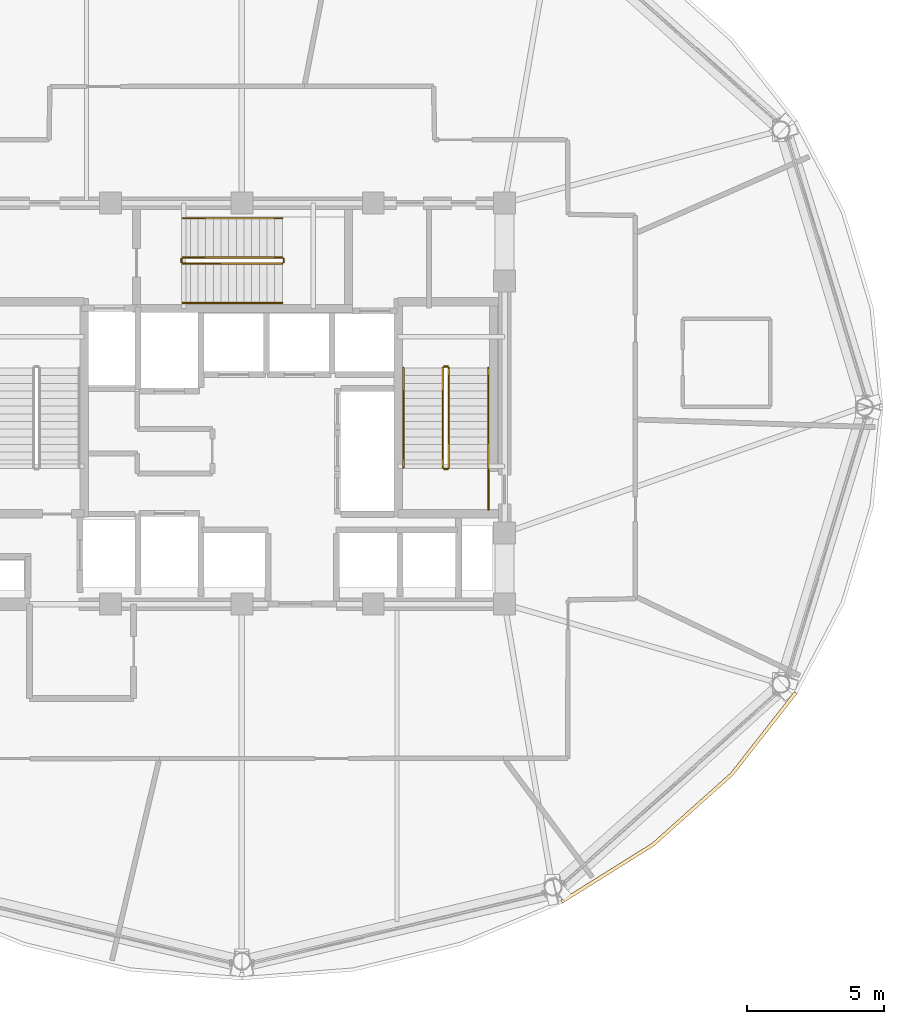
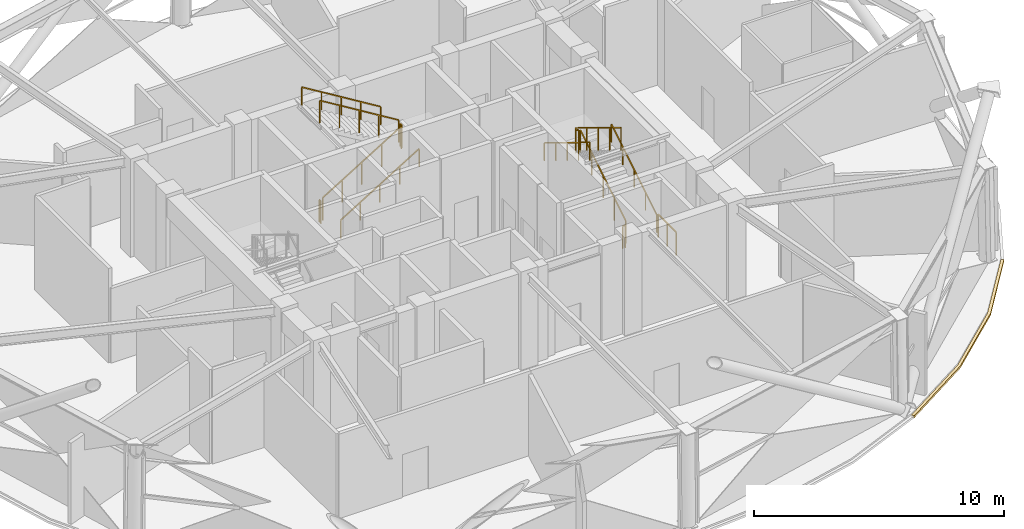
# One storey, part 15 of 16: 13 railings, 1 covering.
"""IFC4 building model written with IfcOpenShell, lengths in metres."""

from ifc_helpers import new_model, si_unit, direction, frame, origin, origin_2d, place, context, subcontext, project, spatial, polyline, rectangle, outline, extrude, material, layer, layer_set, type_object, element, save


model = new_model("IFC4")

# Units and contexts
model_context = context("Model", 3, precision=1e-05, world=origin(), true_north=direction((0.0, 1.0)))
body_context = subcontext(model_context, "Body", "Model", "MODEL_VIEW")
ifc_project = project(units=[si_unit("LENGTHUNIT", "METRE"), si_unit("AREAUNIT", "SQUARE_METRE"), si_unit("VOLUMEUNIT", "CUBIC_METRE"), si_unit("PLANEANGLEUNIT", "RADIAN"), si_unit("MASSUNIT", "GRAM", prefix="KILO")], contexts=[model_context])

# Site, building, storey
site_placement = place(None, origin())
site = spatial("IfcSite", under=ifc_project, at=site_placement, CompositionType="ELEMENT")
building_placement = place(site_placement, origin())
building = spatial("IfcBuilding", under=site, at=building_placement, Name="Vantalir Tower", CompositionType="ELEMENT")
storey_placement = place(building_placement, frame((0.0, 0.0, 181.35009765625)))
storey = spatial("IfcBuildingStorey", under=building, at=storey_placement, Name="L45", CompositionType="ELEMENT", Elevation=181.35009765625)

# Covering
ifc_material_1 = material(Name="Anodised champagne aluminium sill fascia", Category="aluminium")
ifc_layer = layer(ifc_material_1, 0.125)
ifc_layer_set = layer_set([ifc_layer], Name="Anodised champagne aluminium sill fascia")
covering_type = type_object("IfcCoveringType", Name="COV-SLAB-FASCIA-125", PredefinedType="CLADDING", material=ifc_layer_set)
covering_placement = place(storey_placement, frame((0.0, 0.0, -0.18017578125)))
element("IfcCovering", 1, at=covering_placement, inside=storey, type_object=covering_type, Name="L45 Perimeter Slab-Edge Sill Fascia 11", PredefinedType="CLADDING", context=body_context, shape_type="SweptSolid", body=[
    extrude(outline(polyline([(43.212890625, 6.875), (46.556884765625, 8.967041015625), (49.445068359375, 11.547119140625), (51.787109375, 14.534912109375), (51.677978515625, 14.597900390625), (49.34912109375, 11.626953125), (46.47705078125, 9.06298828125), (43.14990234375, 6.98291015625), (43.212890625, 6.875)])), origin(), (0.0, 0.0, 1.0), 0.10498046875),
])

# Railings
ifc_material_2 = material(Name="Anodised aluminium and stainless steel guard", Category="steel")
railing_type_1 = type_object("IfcRailingType", Name="RAL-GUARD-1120", PredefinedType="GUARDRAIL", material=ifc_material_2)
railing_1_placement = place(storey_placement, frame((39.06005859375, 22.7900390625, 0.17138671875)))
element("IfcRailing", 2, at=railing_1_placement, inside=storey, type_object=railing_type_1, Name="L45 ST2 stair guard 1", PredefinedType="GUARDRAIL", context=body_context, shape_type="SweptSolid", body=[
    extrude(rectangle(XDim=0.048095703125, YDim=0.048095703125, at=origin_2d()), frame((0.0, 0.0, 1.09619140625), z_axis=(0.0, 0.852850264322, 0.5221555579), x_axis=(-1.0, 0.0, 0.0)), (0.0, 0.0, 1.0), 4.267822265625),
    extrude(rectangle(XDim=0.0419921875, YDim=0.0419921875, at=origin_2d()), origin(), (0.0, 0.0, 1.0), 1.072021484375),
    extrude(rectangle(XDim=0.0419921875, YDim=0.0419921875, at=origin_2d()), frame((0.0, 0.909912109375, 0.55712890625)), (0.0, 0.0, 1.0), 1.072021484375),
    extrude(rectangle(XDim=0.0419921875, YDim=0.0419921875, at=origin_2d()), frame((0.0, 1.81982421875, 1.1142578125)), (0.0, 0.0, 1.0), 1.072021484375),
    extrude(rectangle(XDim=0.0419921875, YDim=0.0419921875, at=origin_2d()), frame((0.0, 2.72998046875, 1.67138671875)), (0.0, 0.0, 1.0), 1.072021484375),
    extrude(rectangle(XDim=0.0419921875, YDim=0.0419921875, at=origin_2d()), frame((0.0, 3.639892578125, 2.228515625)), (0.0, 0.0, 1.0), 1.072021484375),
])
railing_2_placement = place(storey_placement, frame((39.010009765625, 26.47998046875, 2.39990234375)))
element("IfcRailing", 3, at=railing_2_placement, inside=storey, type_object=railing_type_1, Name="L45 ST2 stair guard 2", PredefinedType="GUARDRAIL", context=body_context, shape_type="SweptSolid", body=[
    extrude(rectangle(XDim=0.048095703125, YDim=0.048095703125, at=origin_2d()), frame((0.0, 0.0, 1.09619140625), z_axis=(-1.0, 0.0, 0.0), x_axis=(0.0, -1.0, 0.0)), (0.0, 0.0, 1.0), 0.1201171875),
    extrude(rectangle(XDim=0.0419921875, YDim=0.0419921875, at=origin_2d()), origin(), (0.0, 0.0, 1.0), 1.072021484375),
    extrude(rectangle(XDim=0.0419921875, YDim=0.0419921875, at=origin_2d()), frame((-0.1201171875, 0.0, 0.0)), (0.0, 0.0, 1.0), 1.072021484375),
])
railing_3_placement = place(storey_placement, frame((38.840087890625, 26.429931640625, 2.5712890625)))
element("IfcRailing", 4, at=railing_3_placement, inside=storey, type_object=railing_type_1, Name="L45 ST2 stair guard 3", PredefinedType="GUARDRAIL", context=body_context, shape_type="SweptSolid", body=[
    extrude(rectangle(XDim=0.048095703125, YDim=0.048095703125, at=origin_2d()), frame((0.0, 0.0, 1.09619140625), z_axis=(0.0, -0.852850264322, 0.5221555579), x_axis=(1.0, 0.0, 0.0)), (0.0, 0.0, 1.0), 4.267822265625),
    extrude(rectangle(XDim=0.0419921875, YDim=0.0419921875, at=origin_2d()), origin(), (0.0, 0.0, 1.0), 1.072021484375),
    extrude(rectangle(XDim=0.0419921875, YDim=0.0419921875, at=origin_2d()), frame((0.0, -0.909912109375, 0.55712890625)), (0.0, 0.0, 1.0), 1.072021484375),
    extrude(rectangle(XDim=0.0419921875, YDim=0.0419921875, at=origin_2d()), frame((0.0, -1.81982421875, 1.1142578125)), (0.0, 0.0, 1.0), 1.072021484375),
    extrude(rectangle(XDim=0.0419921875, YDim=0.0419921875, at=origin_2d()), frame((0.0, -2.72998046875, 1.67138671875)), (0.0, 0.0, 1.0), 1.072021484375),
    extrude(rectangle(XDim=0.0419921875, YDim=0.0419921875, at=origin_2d()), frame((0.0, -3.639892578125, 2.228515625)), (0.0, 0.0, 1.0), 1.072021484375),
])
railing_4_placement = place(storey_placement, frame((39.010009765625, 22.739990234375, 0.0)))
element("IfcRailing", 5, at=railing_4_placement, inside=storey, type_object=railing_type_1, Name="L45 ST2 stair guard 4", PredefinedType="GUARDRAIL", context=body_context, shape_type="SweptSolid", body=[
    extrude(rectangle(XDim=0.048095703125, YDim=0.048095703125, at=origin_2d()), frame((0.0, 0.0, 1.09619140625), z_axis=(-1.0, 0.0, 0.0), x_axis=(0.0, -1.0, 0.0)), (0.0, 0.0, 1.0), 0.1201171875),
    extrude(rectangle(XDim=0.0419921875, YDim=0.0419921875, at=origin_2d()), origin(), (0.0, 0.0, 1.0), 1.072021484375),
    extrude(rectangle(XDim=0.0419921875, YDim=0.0419921875, at=origin_2d()), frame((-0.1201171875, 0.0, 0.0)), (0.0, 0.0, 1.0), 1.072021484375),
])
railing_5_placement = place(storey_placement, frame((29.340087890625, 30.239990234375, 0.17138671875)))
element("IfcRailing", 6, at=railing_5_placement, inside=storey, type_object=railing_type_1, Name="L45 ST3 stair guard 1", PredefinedType="GUARDRAIL", context=body_context, shape_type="SweptSolid", body=[
    extrude(rectangle(XDim=0.048095703125, YDim=0.048095703125, at=origin_2d()), frame((0.0, 0.0, 1.09619140625), z_axis=(0.852850264322, 0.0, 0.5221555579), x_axis=(0.0, 1.0, 0.0)), (0.0, 0.0, 1.0), 4.267822265625),
    extrude(rectangle(XDim=0.0419921875, YDim=0.0419921875, at=origin_2d()), origin(), (0.0, 0.0, 1.0), 1.072021484375),
    extrude(rectangle(XDim=0.0419921875, YDim=0.0419921875, at=origin_2d()), frame((0.909912109375, 0.0, 0.55712890625)), (0.0, 0.0, 1.0), 1.072021484375),
    extrude(rectangle(XDim=0.0419921875, YDim=0.0419921875, at=origin_2d()), frame((1.81982421875, 0.0, 1.1142578125)), (0.0, 0.0, 1.0), 1.072021484375),
    extrude(rectangle(XDim=0.0419921875, YDim=0.0419921875, at=origin_2d()), frame((2.72998046875, 0.0, 1.67138671875)), (0.0, 0.0, 1.0), 1.072021484375),
    extrude(rectangle(XDim=0.0419921875, YDim=0.0419921875, at=origin_2d()), frame((3.639892578125, 0.0, 2.228515625)), (0.0, 0.0, 1.0), 1.072021484375),
])
railing_6_placement = place(storey_placement, frame((33.030029296875, 30.2900390625, 2.39990234375)))
element("IfcRailing", 7, at=railing_6_placement, inside=storey, type_object=railing_type_1, Name="L45 ST3 stair guard 2", PredefinedType="GUARDRAIL", context=body_context, shape_type="SweptSolid", body=[
    extrude(rectangle(XDim=0.048095703125, YDim=0.048095703125, at=origin_2d()), frame((0.0, 0.0, 1.09619140625), z_axis=(0.0, 1.0, 0.0), x_axis=(-1.0, 0.0, 0.0)), (0.0, 0.0, 1.0), 0.119873046875),
    extrude(rectangle(XDim=0.0419921875, YDim=0.0419921875, at=origin_2d()), origin(), (0.0, 0.0, 1.0), 1.072021484375),
    extrude(rectangle(XDim=0.0419921875, YDim=0.0419921875, at=origin_2d()), frame((0.0, 0.119873046875, 0.0)), (0.0, 0.0, 1.0), 1.072021484375),
])
railing_7_placement = place(storey_placement, frame((32.97998046875, 30.4599609375, 2.5712890625)))
element("IfcRailing", 8, at=railing_7_placement, inside=storey, type_object=railing_type_1, Name="L45 ST3 stair guard 3", PredefinedType="GUARDRAIL", context=body_context, shape_type="SweptSolid", body=[
    extrude(rectangle(XDim=0.048095703125, YDim=0.048095703125, at=origin_2d()), frame((0.0, 0.0, 1.09619140625), z_axis=(-0.852850264322, 0.0, 0.5221555579), x_axis=(0.0, -1.0, 0.0)), (0.0, 0.0, 1.0), 4.267822265625),
    extrude(rectangle(XDim=0.0419921875, YDim=0.0419921875, at=origin_2d()), origin(), (0.0, 0.0, 1.0), 1.072021484375),
    extrude(rectangle(XDim=0.0419921875, YDim=0.0419921875, at=origin_2d()), frame((-0.909912109375, 0.0, 0.55712890625)), (0.0, 0.0, 1.0), 1.072021484375),
    extrude(rectangle(XDim=0.0419921875, YDim=0.0419921875, at=origin_2d()), frame((-1.81982421875, 0.0, 1.1142578125)), (0.0, 0.0, 1.0), 1.072021484375),
    extrude(rectangle(XDim=0.0419921875, YDim=0.0419921875, at=origin_2d()), frame((-2.72998046875, 0.0, 1.67138671875)), (0.0, 0.0, 1.0), 1.072021484375),
    extrude(rectangle(XDim=0.0419921875, YDim=0.0419921875, at=origin_2d()), frame((-3.639892578125, 0.0, 2.228515625)), (0.0, 0.0, 1.0), 1.072021484375),
])
railing_8_placement = place(storey_placement, frame((29.2900390625, 30.2900390625, 0.0)))
element("IfcRailing", 9, at=railing_8_placement, inside=storey, type_object=railing_type_1, Name="L45 ST3 stair guard 4", PredefinedType="GUARDRAIL", context=body_context, shape_type="SweptSolid", body=[
    extrude(rectangle(XDim=0.048095703125, YDim=0.048095703125, at=origin_2d()), frame((0.0, 0.0, 1.09619140625), z_axis=(0.0, 1.0, 0.0), x_axis=(-1.0, 0.0, 0.0)), (0.0, 0.0, 1.0), 0.119873046875),
    extrude(rectangle(XDim=0.0419921875, YDim=0.0419921875, at=origin_2d()), origin(), (0.0, 0.0, 1.0), 1.072021484375),
    extrude(rectangle(XDim=0.0419921875, YDim=0.0419921875, at=origin_2d()), frame((0.0, 0.119873046875, 0.0)), (0.0, 0.0, 1.0), 1.072021484375),
])
railing_9_placement = place(storey_placement, frame((40.510009765625, 21.260009765625, 0.0)))
element("IfcRailing", 10, at=railing_9_placement, inside=storey, type_object=railing_type_1, Name="L45 Stair ST2 Doorway Landing Guard", PredefinedType="GUARDRAIL", context=body_context, shape_type="SweptSolid", body=[
    extrude(rectangle(XDim=0.048095703125, YDim=0.048095703125, at=origin_2d()), frame((0.0, 0.0, 1.1259765625), z_axis=(0.0, 1.0, 0.0), x_axis=(-1.0, 0.0, 0.0)), (0.0, 0.0, 1.0), 1.43994140625),
    extrude(rectangle(XDim=0.0419921875, YDim=0.0419921875, at=origin_2d()), origin(), (0.0, 0.0, 1.0), 1.101806640625),
    extrude(rectangle(XDim=0.0419921875, YDim=0.0419921875, at=origin_2d()), frame((0.0, 0.719970703125, 0.0)), (0.0, 0.0, 1.0), 1.101806640625),
    extrude(rectangle(XDim=0.0419921875, YDim=0.0419921875, at=origin_2d()), frame((0.0, 1.43994140625, 0.0)), (0.0, 0.0, 1.0), 1.101806640625),
])
ifc_material_3 = material(Name="Brushed stainless steel tubular handrail", Category="steel")
railing_type_2 = type_object("IfcRailingType", Name="RAL-HANDRAIL-900", PredefinedType="HANDRAIL", material=ifc_material_3)
railing_10_placement = place(storey_placement, frame((40.5, 22.7900390625, 0.17138671875)))
element("IfcRailing", 11, at=railing_10_placement, inside=storey, type_object=railing_type_2, Name="L45 ST2 stair handrail 1", PredefinedType="HANDRAIL", context=body_context, shape_type="SweptSolid", body=[
    extrude(rectangle(XDim=0.048095703125, YDim=0.048095703125, at=origin_2d()), frame((0.0, 0.0, 0.8759765625), z_axis=(0.0, 0.852850264322, 0.5221555579), x_axis=(-1.0, 0.0, 0.0)), (0.0, 0.0, 1.0), 4.267822265625),
    extrude(rectangle(XDim=0.0419921875, YDim=0.0419921875, at=origin_2d()), origin(), (0.0, 0.0, 1.0), 0.851806640625),
    extrude(rectangle(XDim=0.0419921875, YDim=0.0419921875, at=origin_2d()), frame((0.0, 0.909912109375, 0.55712890625)), (0.0, 0.0, 1.0), 0.851806640625),
    extrude(rectangle(XDim=0.0419921875, YDim=0.0419921875, at=origin_2d()), frame((0.0, 1.81982421875, 1.1142578125)), (0.0, 0.0, 1.0), 0.851806640625),
    extrude(rectangle(XDim=0.0419921875, YDim=0.0419921875, at=origin_2d()), frame((0.0, 2.72998046875, 1.67138671875)), (0.0, 0.0, 1.0), 0.851806640625),
    extrude(rectangle(XDim=0.0419921875, YDim=0.0419921875, at=origin_2d()), frame((0.0, 3.639892578125, 2.228515625)), (0.0, 0.0, 1.0), 0.851806640625),
])
railing_11_placement = place(storey_placement, frame((37.39990234375, 26.429931640625, 2.5712890625)))
element("IfcRailing", 12, at=railing_11_placement, inside=storey, type_object=railing_type_2, Name="L45 ST2 stair handrail 2", PredefinedType="HANDRAIL", context=body_context, shape_type="SweptSolid", body=[
    extrude(rectangle(XDim=0.048095703125, YDim=0.048095703125, at=origin_2d()), frame((0.0, 0.0, 0.8759765625), z_axis=(0.0, -0.852850264322, 0.5221555579), x_axis=(1.0, 0.0, 0.0)), (0.0, 0.0, 1.0), 4.267822265625),
    extrude(rectangle(XDim=0.0419921875, YDim=0.0419921875, at=origin_2d()), origin(), (0.0, 0.0, 1.0), 0.851806640625),
    extrude(rectangle(XDim=0.0419921875, YDim=0.0419921875, at=origin_2d()), frame((0.0, -0.909912109375, 0.55712890625)), (0.0, 0.0, 1.0), 0.851806640625),
    extrude(rectangle(XDim=0.0419921875, YDim=0.0419921875, at=origin_2d()), frame((0.0, -1.81982421875, 1.1142578125)), (0.0, 0.0, 1.0), 0.851806640625),
    extrude(rectangle(XDim=0.0419921875, YDim=0.0419921875, at=origin_2d()), frame((0.0, -2.72998046875, 1.67138671875)), (0.0, 0.0, 1.0), 0.851806640625),
    extrude(rectangle(XDim=0.0419921875, YDim=0.0419921875, at=origin_2d()), frame((0.0, -3.639892578125, 2.228515625)), (0.0, 0.0, 1.0), 0.851806640625),
])
railing_12_placement = place(storey_placement, frame((29.340087890625, 28.800048828125, 0.17138671875)))
element("IfcRailing", 13, at=railing_12_placement, inside=storey, type_object=railing_type_2, Name="L45 ST3 stair handrail 1", PredefinedType="HANDRAIL", context=body_context, shape_type="SweptSolid", body=[
    extrude(rectangle(XDim=0.048095703125, YDim=0.048095703125, at=origin_2d()), frame((0.0, 0.0, 0.8759765625), z_axis=(0.852850264322, 0.0, 0.5221555579), x_axis=(0.0, 1.0, 0.0)), (0.0, 0.0, 1.0), 4.267822265625),
    extrude(rectangle(XDim=0.0419921875, YDim=0.0419921875, at=origin_2d()), origin(), (0.0, 0.0, 1.0), 0.851806640625),
    extrude(rectangle(XDim=0.0419921875, YDim=0.0419921875, at=origin_2d()), frame((0.909912109375, 0.0, 0.55712890625)), (0.0, 0.0, 1.0), 0.851806640625),
    extrude(rectangle(XDim=0.0419921875, YDim=0.0419921875, at=origin_2d()), frame((1.81982421875, 0.0, 1.1142578125)), (0.0, 0.0, 1.0), 0.851806640625),
    extrude(rectangle(XDim=0.0419921875, YDim=0.0419921875, at=origin_2d()), frame((2.72998046875, 0.0, 1.67138671875)), (0.0, 0.0, 1.0), 0.851806640625),
    extrude(rectangle(XDim=0.0419921875, YDim=0.0419921875, at=origin_2d()), frame((3.639892578125, 0.0, 2.228515625)), (0.0, 0.0, 1.0), 0.851806640625),
])
railing_13_placement = place(storey_placement, frame((32.97998046875, 31.89990234375, 2.5712890625)))
element("IfcRailing", 14, at=railing_13_placement, inside=storey, type_object=railing_type_2, Name="L45 ST3 stair handrail 2", PredefinedType="HANDRAIL", context=body_context, shape_type="SweptSolid", body=[
    extrude(rectangle(XDim=0.048095703125, YDim=0.048095703125, at=origin_2d()), frame((0.0, 0.0, 0.8759765625), z_axis=(-0.852850264322, 0.0, 0.5221555579), x_axis=(0.0, -1.0, 0.0)), (0.0, 0.0, 1.0), 4.267822265625),
    extrude(rectangle(XDim=0.0419921875, YDim=0.0419921875, at=origin_2d()), origin(), (0.0, 0.0, 1.0), 0.851806640625),
    extrude(rectangle(XDim=0.0419921875, YDim=0.0419921875, at=origin_2d()), frame((-0.909912109375, 0.0, 0.55712890625)), (0.0, 0.0, 1.0), 0.851806640625),
    extrude(rectangle(XDim=0.0419921875, YDim=0.0419921875, at=origin_2d()), frame((-1.81982421875, 0.0, 1.1142578125)), (0.0, 0.0, 1.0), 0.851806640625),
    extrude(rectangle(XDim=0.0419921875, YDim=0.0419921875, at=origin_2d()), frame((-2.72998046875, 0.0, 1.67138671875)), (0.0, 0.0, 1.0), 0.851806640625),
    extrude(rectangle(XDim=0.0419921875, YDim=0.0419921875, at=origin_2d()), frame((-3.639892578125, 0.0, 2.228515625)), (0.0, 0.0, 1.0), 0.851806640625),
])

save(model, "model.ifc")
